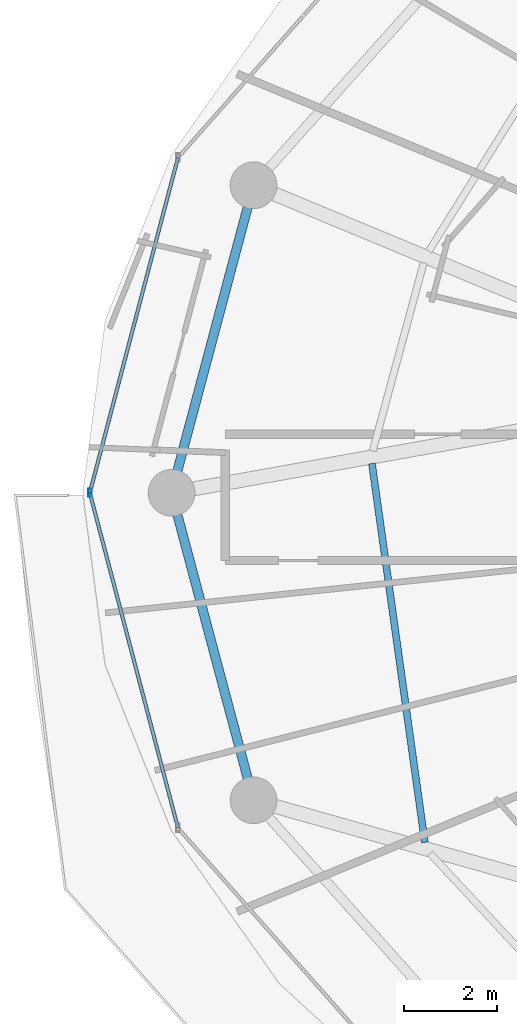
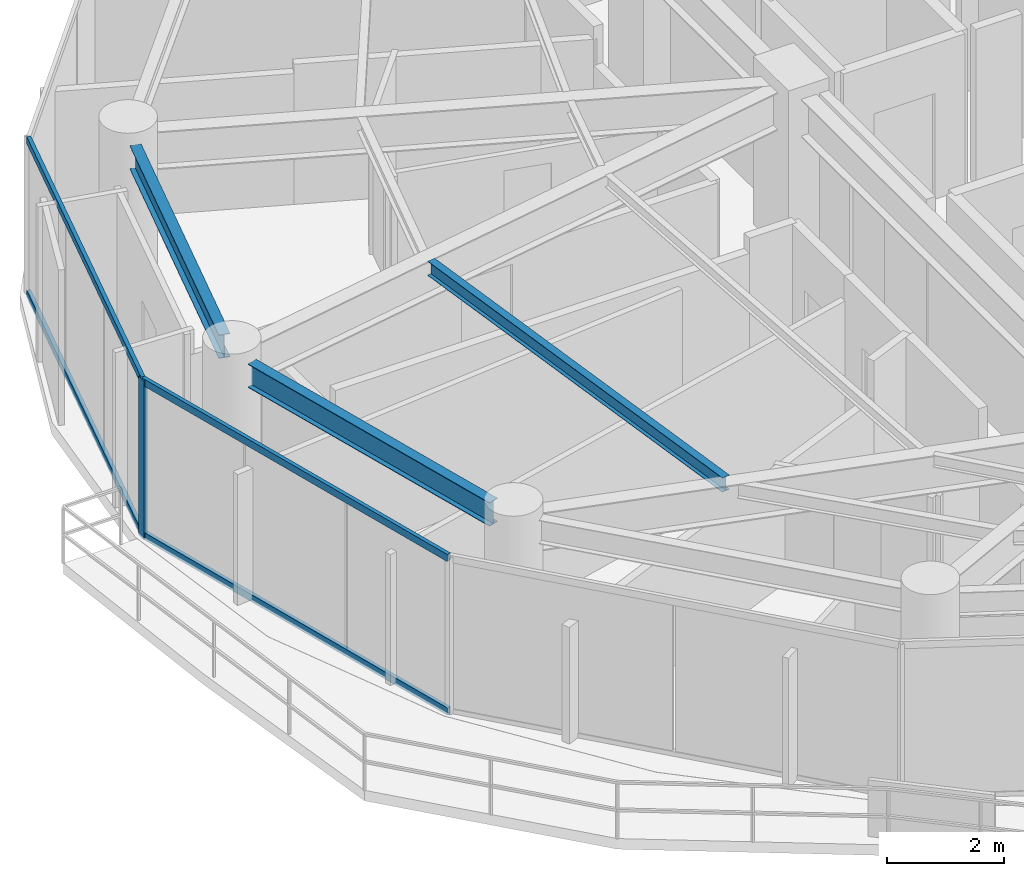
# One storey, part 6 of 28: 5 members, 3 beams, 1 element without a shape of its own.
"""IFC4 building model written with IfcOpenShell, lengths in metres."""

from ifc_helpers import new_model, si_unit, direction, frame, origin, origin_2d, place, context, subcontext, project, spatial, hollow_rectangle, i_section, extrude, material, material_profile, profile_set, type_object, element, aggregate, save


model = new_model("IFC4")

# Units and contexts
model_context = context("Model", 3, precision=1e-05, world=origin(), true_north=direction((0.0, 1.0)))
body_context = subcontext(model_context, "Body", "Model", "MODEL_VIEW")
ifc_project = project(units=[si_unit("LENGTHUNIT", "METRE"), si_unit("AREAUNIT", "SQUARE_METRE"), si_unit("VOLUMEUNIT", "CUBIC_METRE"), si_unit("PLANEANGLEUNIT", "RADIAN"), si_unit("MASSUNIT", "GRAM", prefix="KILO")], contexts=[model_context])

# Site, building, storey
site_placement = place(None, origin())
site = spatial("IfcSite", under=ifc_project, at=site_placement, CompositionType="ELEMENT")
building_placement = place(site_placement, origin())
building = spatial("IfcBuilding", under=site, at=building_placement, Name="Vorneva Point Tower", CompositionType="ELEMENT")
storey_placement = place(building_placement, frame((0.0, 0.0, 146.60009765625)))
storey = spatial("IfcBuildingStorey", under=building, at=storey_placement, Name="L39", CompositionType="ELEMENT", Elevation=146.60009765625)

# Beams
ifc_material_1 = material(Name="Steel S355", Category="steel")
ifc_material_profile_1 = material_profile(ifc_material_1, i_section(OverallWidth=0.14892578125, OverallDepth=0.298095703125, WebThickness=0.005615234375, FlangeThickness=0.008056640625, at=origin_2d()), Name="30B1")
ifc_profile_set_1 = profile_set([ifc_material_profile_1], Name="Steel S355")
beam_type_1 = type_object("IfcBeamType", Name="BM-JST-30B1", PredefinedType="JOIST", material=ifc_profile_set_1)
beam_placement = place(storey_placement, frame((19.239501953125, 26.627197265625, 3.0908203125), z_axis=(0.13833204721, -0.990385906965, 0.0), x_axis=(0.990385906965, 0.13833204721, 0.0)))
element("IfcBeam", 1, at=beam_placement, inside=storey, type_object=beam_type_1, Name="L39 Secondary Floor Beam 1.09", PredefinedType="JOIST", context=body_context, shape_type="SweptSolid", body=[
    extrude(i_section(OverallWidth=0.14892578125, OverallDepth=0.298095703125, WebThickness=0.005615234375, FlangeThickness=0.008056640625, at=origin_2d()), origin(), (0.0, 0.0, 1.0), 8.18896484375),
])
ifc_material_profile_2 = material_profile(ifc_material_1, i_section(OverallWidth=0.199951171875, OverallDepth=0.491943359375, WebThickness=0.0087890625, FlangeThickness=0.011962890625, at=origin_2d()), Name="50B1")
ifc_profile_set_2 = profile_set([ifc_material_profile_2], Name="Steel S355")
beam_type_2 = type_object("IfcBeamType", Name="BM-SPN-50B1", PredefinedType="SPANDREL", material=ifc_profile_set_2)
for number, where, z_axis, x_axis, name in (
    (2, (16.57958984375, 32.113525390625, 2.993896484375), (-0.257550804648, -0.966264758245, 0.0), (0.966264758245, -0.257550804648, 0.0), "L39 Perimeter Spandrel Ring Beam 08"),
    (3, (15.074951171875, 25.531494140625, 2.993896484375), (0.257550804648, -0.966264758245, 0.0), (0.966264758245, 0.257550804648, 0.0), "L39 Perimeter Spandrel Ring Beam 09"),
):
    element("IfcBeam", number, at=place(storey_placement, frame(where, z_axis=z_axis, x_axis=x_axis)), inside=storey, type_object=beam_type_2, Name=name, PredefinedType="SPANDREL", context=body_context, shape_type="SweptSolid", body=[
        extrude(i_section(OverallWidth=0.199951171875, OverallDepth=0.491943359375, WebThickness=0.0087890625, FlangeThickness=0.011962890625, at=origin_2d()), origin(), (0.0, 0.0, 1.0), 5.842041015625),
    ])

# Curtain wall, members
ifc_material_2 = material(Name="Pale anodised aluminium", Category="aluminium")
curtain_wall_type = type_object("IfcCurtainWallType", Name="CW-RES-SYS", PredefinedType="NOTDEFINED", material=ifc_material_2)
curtain_wall_placement = place(storey_placement, origin())
curtain_wall = element("IfcCurtainWall", 4, at=curtain_wall_placement, inside=storey, type_object=curtain_wall_type, Name="L39 Unitised Curtain Wall CW-L39-R02", PredefinedType="NOTDEFINED")
ifc_material_profile_3 = material_profile(ifc_material_2, hollow_rectangle(XDim=0.074951171875, YDim=0.179931640625, WallThickness=0.00390625, at=origin_2d()), Name="AL-MUL 180x75x4")
ifc_profile_set_3 = profile_set([ifc_material_profile_3], Name="Pale anodised aluminium")
member_type_1 = type_object("IfcMemberType", Name="CW-MUL-180", PredefinedType="MULLION", material=ifc_profile_set_3)
member_1_placement = place(storey_placement, frame((13.199951171875, 26.0, -0.0400390625), z_axis=(0.0, 0.0, 1.0), x_axis=(1.0, 0.0, 0.0)))
member_1 = element("IfcMember", 5, at=member_1_placement, type_object=member_type_1, Name="CW-L39-R02 Mullion 03", PredefinedType="MULLION", context=body_context, shape_type="SweptSolid", body=[
    extrude(hollow_rectangle(XDim=0.074951171875, YDim=0.179931640625, WallThickness=0.00390625, at=origin_2d()), origin(), (0.0, 0.0, 1.0), 3.31005859375),
])
ifc_material_profile_4 = material_profile(ifc_material_2, hollow_rectangle(XDim=0.074951171875, YDim=0.14990234375, WallThickness=0.00390625, at=origin_2d()), Name="AL-TRN 150x75x4")
ifc_profile_set_4 = profile_set([ifc_material_profile_4], Name="Pale anodised aluminium")
member_type_2 = type_object("IfcMemberType", Name="CW-TRN-150", PredefinedType="USERDEFINED", material=ifc_profile_set_4)
member_2_placement = place(storey_placement, frame((15.087890625, 33.17529296875, 0.02001953125), z_axis=(-0.254456046293, -0.967084339913, 0.0), x_axis=(0.967084339913, -0.254456046293, 0.0)))
member_2 = element("IfcMember", 6, at=member_2_placement, type_object=member_type_2, Name="CW-L39-R02 Transom 02.1", ObjectType="TRANSOM", PredefinedType="USERDEFINED", context=body_context, shape_type="SweptSolid", body=[
    extrude(hollow_rectangle(XDim=0.074951171875, YDim=0.14990234375, WallThickness=0.00390625, at=origin_2d()), origin(), (0.0, 0.0, 1.0), 7.41943359375),
])
member_3_placement = place(storey_placement, frame((15.087890625, 33.17529296875, 3.219970703125), z_axis=(-0.254456046293, -0.967084339913, 0.0), x_axis=(0.967084339913, -0.254456046293, 0.0)))
member_3 = element("IfcMember", 7, at=member_3_placement, type_object=member_type_2, Name="CW-L39-R02 Transom 02.2", ObjectType="TRANSOM", PredefinedType="USERDEFINED", context=body_context, shape_type="SweptSolid", body=[
    extrude(hollow_rectangle(XDim=0.074951171875, YDim=0.14990234375, WallThickness=0.00390625, at=origin_2d()), origin(), (0.0, 0.0, 1.0), 7.41943359375),
])
member_4_placement = place(storey_placement, frame((13.199951171875, 26.0, 0.02001953125), z_axis=(0.254456046293, -0.967084339913, 0.0), x_axis=(0.967084339913, 0.254456046293, 0.0)))
member_4 = element("IfcMember", 8, at=member_4_placement, type_object=member_type_2, Name="CW-L39-R02 Transom 03.1", ObjectType="TRANSOM", PredefinedType="USERDEFINED", context=body_context, shape_type="SweptSolid", body=[
    extrude(hollow_rectangle(XDim=0.074951171875, YDim=0.14990234375, WallThickness=0.00390625, at=origin_2d()), origin(), (0.0, 0.0, 1.0), 7.41943359375),
])
member_5_placement = place(storey_placement, frame((13.199951171875, 26.0, 3.219970703125), z_axis=(0.254456046293, -0.967084339913, 0.0), x_axis=(0.967084339913, 0.254456046293, 0.0)))
member_5 = element("IfcMember", 9, at=member_5_placement, type_object=member_type_2, Name="CW-L39-R02 Transom 03.2", ObjectType="TRANSOM", PredefinedType="USERDEFINED", context=body_context, shape_type="SweptSolid", body=[
    extrude(hollow_rectangle(XDim=0.074951171875, YDim=0.14990234375, WallThickness=0.00390625, at=origin_2d()), origin(), (0.0, 0.0, 1.0), 7.41943359375),
])
aggregate(curtain_wall, [member_1, member_2, member_3, member_4, member_5])

save(model, "model.ifc")
